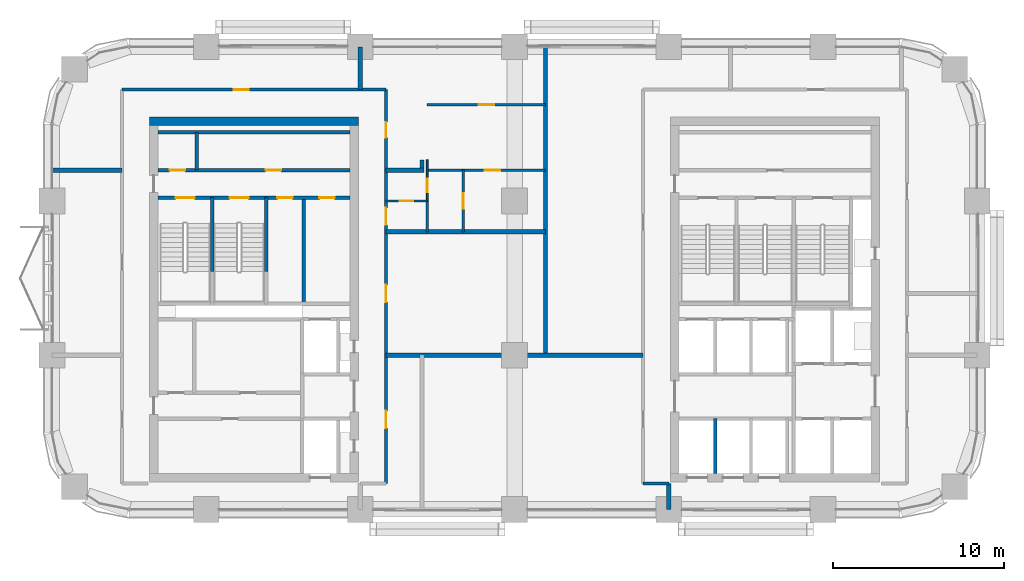
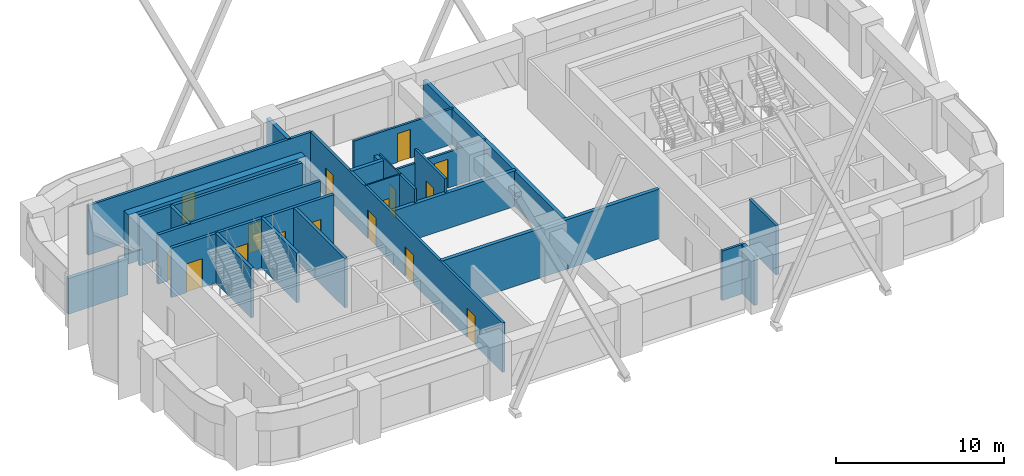
# One storey, part 9 of 13: 27 walls, 16 doors, 16 openings.
"""IFC4 building model written with IfcOpenShell, lengths in metres."""

from ifc_helpers import new_model, si_unit, direction, frame, frame_2d, origin, place, context, subcontext, project, spatial, rectangle, extrude, material, layer, layer_set, type_object, element, fill, save


model = new_model("IFC4")

# Units and contexts
model_context = context("Model", 3, precision=1e-05, world=origin(), true_north=direction((0.0, 1.0)))
body_context = subcontext(model_context, "Body", "Model", "MODEL_VIEW")
ifc_project = project(units=[si_unit("LENGTHUNIT", "METRE"), si_unit("AREAUNIT", "SQUARE_METRE"), si_unit("VOLUMEUNIT", "CUBIC_METRE"), si_unit("PLANEANGLEUNIT", "RADIAN"), si_unit("MASSUNIT", "GRAM", prefix="KILO")], contexts=[model_context])

# Site, building, storey
site_placement = place(None, origin())
site = spatial("IfcSite", under=ifc_project, at=site_placement, CompositionType="ELEMENT")
building_placement = place(site_placement, origin())
building = spatial("IfcBuilding", under=site, at=building_placement, Name="Tessera Arch", CompositionType="ELEMENT")
storey_placement = place(building_placement, frame((0.0, 0.0, 166.10009765625)))
storey = spatial("IfcBuildingStorey", under=building, at=storey_placement, Name="L39", CompositionType="ELEMENT", Elevation=166.10009765625)

# Walls
ifc_material_1 = material(Name="Gypsum board on steel stud", Category="steel")
ifc_layer_1 = layer(ifc_material_1, 0.125)
ifc_layer_set_1 = layer_set([ifc_layer_1], Name="Core partition 125 EI 60")
wall_type_1 = type_object("IfcWallType", Name="Core partition 125 EI 60", PredefinedType="PARTITIONING", material=ifc_layer_set_1)
wall_1_placement = place(storey_placement, frame((8.43994140625, 46.800048828125, 0.0), z_axis=(0.0, 0.0, 1.0), x_axis=(0.0, 1.0, 0.0)))
element("IfcWall", 1, at=wall_1_placement, inside=storey, type_object=wall_type_1, Name="L39 C2 partition wall 2", PredefinedType="PARTITIONING", context=body_context, shape_type="SweptSolid", body=[
    extrude(rectangle(XDim=2.199951171875, YDim=0.199951171875, at=frame_2d((1.10009765625, 0.0))), origin(), (0.0, 0.0, 1.0), 3.599853515625),
])
wall_2_placement = place(storey_placement, frame((14.705078125, 39.0, 0.0), z_axis=(0.0, 0.0, 1.0), x_axis=(0.0, 1.0, 0.0)))
element("IfcWall", 2, at=wall_2_placement, inside=storey, type_object=wall_type_1, Name="L39 C2 partition wall 10", PredefinedType="PARTITIONING", context=body_context, shape_type="SweptSolid", body=[
    extrude(rectangle(XDim=6.199951171875, YDim=0.199951171875, at=frame_2d((3.10009765625, 0.0))), origin(), (0.0, 0.0, 1.0), 3.599853515625),
])

# Wall, openings, doors
wall_3_placement = place(storey_placement, frame((12.5, 45.199951171875, 0.0), z_axis=(0.0, 0.0, 1.0), x_axis=(1.0, 0.0, 0.0)))
wall_3 = element("IfcWall", 3, at=wall_3_placement, inside=storey, type_object=wall_type_1, Name="L39 C2 partition wall 22", PredefinedType="PARTITIONING", context=body_context, shape_type="SweptSolid", body=[
    extrude(rectangle(XDim=4.89990234375, YDim=0.199951171875, at=frame_2d((2.449951171875, 0.0))), origin(), (0.0, 0.0, 1.0), 3.599853515625),
])
opening_1_placement = place(wall_3_placement, frame((0.652587890625, 0.0, 0.0)))
opening_1 = element("IfcOpeningElement", 4, at=opening_1_placement, cuts=wall_3, Name="Opening L39-C30", PredefinedType="OPENING", context=body_context, shape_type="SweptSolid", body=[
    extrude(rectangle(XDim=0.89990234375, YDim=2.10009765625, at=frame_2d((0.449951171875, 1.050048828125))), frame((0.0, 0.10986328125, 0.0), z_axis=(0.0, -1.0, 0.0), x_axis=(1.0, 0.0, 0.0)), (0.0, 0.0, 1.0), 0.219970703125),
])
opening_2_placement = place(wall_3_placement, frame((3.1025390625, 0.0, 0.0)))
opening_2 = element("IfcOpeningElement", 5, at=opening_2_placement, cuts=wall_3, Name="Opening L39-C31", PredefinedType="OPENING", context=body_context, shape_type="SweptSolid", body=[
    extrude(rectangle(XDim=0.89990234375, YDim=2.10009765625, at=frame_2d((0.449951171875, 1.050048828125))), frame((0.0, 0.10986328125, 0.0), z_axis=(0.0, -1.0, 0.0), x_axis=(1.0, 0.0, 0.0)), (0.0, 0.0, 1.0), 0.219970703125),
])
ifc_material_2 = material(Name="Steel door leaf", Category="steel")
door_type_1 = type_object("IfcDoorType", Name="Store door FD30S 900 x 2100", OperationType="SINGLE_SWING_LEFT", PredefinedType="DOOR", material=ifc_material_2)
door_1_placement = place(opening_1_placement, origin())
door_1 = element("IfcDoor", 6, at=door_1_placement, inside=storey, type_object=door_type_1, Name="L39 C2 door 12 C30 type D09", OperationType="SINGLE_SWING_LEFT", OverallHeight=2.10009765625, OverallWidth=0.89990234375, PredefinedType="DOOR", context=body_context, shape_type="SweptSolid", body=[
    extrude(rectangle(XDim=0.89990234375, YDim=2.10009765625, at=frame_2d((0.449951171875, 1.050048828125))), frame((0.0, 0.02490234375, 0.0), z_axis=(0.0, -1.0, 0.0), x_axis=(1.0, 0.0, 0.0)), (0.0, 0.0, 1.0), 0.050048828125),
])
fill(opening_1, door_1)
door_2_placement = place(opening_2_placement, origin())
door_2 = element("IfcDoor", 7, at=door_2_placement, inside=storey, type_object=door_type_1, Name="L39 C2 door 13 C31 type D09", OperationType="SINGLE_SWING_RIGHT", OverallHeight=2.10009765625, OverallWidth=0.89990234375, PredefinedType="DOOR", context=body_context, shape_type="SweptSolid", body=[
    extrude(rectangle(XDim=0.89990234375, YDim=2.10009765625, at=frame_2d((0.449951171875, 1.050048828125))), frame((0.0, 0.02490234375, 0.0), z_axis=(0.0, -1.0, 0.0), x_axis=(1.0, 0.0, 0.0)), (0.0, 0.0, 1.0), 0.050048828125),
])
fill(opening_2, door_2)

wall_4_placement = place(storey_placement, frame((6.199951171875, 46.800048828125, 0.0), z_axis=(0.0, 0.0, 1.0), x_axis=(1.0, 0.0, 0.0)))
wall_4 = element("IfcWall", 8, at=wall_4_placement, inside=storey, type_object=wall_type_1, Name="L39 C2 partition wall 24", PredefinedType="PARTITIONING", context=body_context, shape_type="SweptSolid", body=[
    extrude(rectangle(XDim=11.199951171875, YDim=0.199951171875, at=frame_2d((5.60009765625, 0.0))), origin(), (0.0, 0.0, 1.0), 3.599853515625),
])
opening_3_placement = place(wall_4_placement, frame((0.669921875, 0.0, 0.0)))
opening_3 = element("IfcOpeningElement", 9, at=opening_3_placement, cuts=wall_4, Name="Opening L39-C28", PredefinedType="OPENING", context=body_context, shape_type="SweptSolid", body=[
    extrude(rectangle(XDim=0.89990234375, YDim=2.10009765625, at=frame_2d((0.449951171875, 1.050048828125))), frame((0.0, 0.10986328125, 0.0), z_axis=(0.0, -1.0, 0.0), x_axis=(1.0, 0.0, 0.0)), (0.0, 0.0, 1.0), 0.219970703125),
])
opening_4_placement = place(wall_4_placement, frame((6.27001953125, 0.0, 0.0)))
opening_4 = element("IfcOpeningElement", 10, at=opening_4_placement, cuts=wall_4, Name="Opening L39-C29", PredefinedType="OPENING", context=body_context, shape_type="SweptSolid", body=[
    extrude(rectangle(XDim=0.89990234375, YDim=2.10009765625, at=frame_2d((0.449951171875, 1.050048828125))), frame((0.0, 0.10986328125, 0.0), z_axis=(0.0, -1.0, 0.0), x_axis=(1.0, 0.0, 0.0)), (0.0, 0.0, 1.0), 0.219970703125),
])
door_3_placement = place(opening_3_placement, origin())
door_3 = element("IfcDoor", 11, at=door_3_placement, inside=storey, type_object=door_type_1, Name="L39 C2 door 10 C28 type D09", OperationType="SINGLE_SWING_LEFT", OverallHeight=2.10009765625, OverallWidth=0.89990234375, PredefinedType="DOOR", context=body_context, shape_type="SweptSolid", body=[
    extrude(rectangle(XDim=0.89990234375, YDim=2.10009765625, at=frame_2d((0.449951171875, 1.050048828125))), frame((0.0, 0.02490234375, 0.0), z_axis=(0.0, -1.0, 0.0), x_axis=(1.0, 0.0, 0.0)), (0.0, 0.0, 1.0), 0.050048828125),
])
fill(opening_3, door_3)
door_4_placement = place(opening_4_placement, origin())
door_4 = element("IfcDoor", 12, at=door_4_placement, inside=storey, type_object=door_type_1, Name="L39 C2 door 11 C29 type D09", OperationType="SINGLE_SWING_RIGHT", OverallHeight=2.10009765625, OverallWidth=0.89990234375, PredefinedType="DOOR", context=body_context, shape_type="SweptSolid", body=[
    extrude(rectangle(XDim=0.89990234375, YDim=2.10009765625, at=frame_2d((0.449951171875, 1.050048828125))), frame((0.0, 0.02490234375, 0.0), z_axis=(0.0, -1.0, 0.0), x_axis=(1.0, 0.0, 0.0)), (0.0, 0.0, 1.0), 0.050048828125),
])
fill(opening_4, door_4)

# Walls
wall_5_placement = place(storey_placement, frame((6.199951171875, 49.0, 0.0), z_axis=(0.0, 0.0, 1.0), x_axis=(1.0, 0.0, 0.0)))
element("IfcWall", 13, at=wall_5_placement, inside=storey, type_object=wall_type_1, Name="L39 C2 partition wall 25", PredefinedType="PARTITIONING", context=body_context, shape_type="SweptSolid", body=[
    extrude(rectangle(XDim=11.199951171875, YDim=0.199951171875, at=frame_2d((5.60009765625, 0.0))), origin(), (0.0, 0.0, 1.0), 3.599853515625),
])
ifc_material_3 = material(Name="Concrete C60/75", Category="concrete")
ifc_layer_2 = layer(ifc_material_3, 0.5)
ifc_layer_set_2 = layer_set([ifc_layer_2], Name="Core shell wall 500 C60-75")
wall_type_2 = type_object("IfcWallType", Name="Core shell wall 500 C60-75", PredefinedType="SHEAR", material=ifc_layer_set_2)
wall_6_placement = place(storey_placement, frame((5.699951171875, 49.64990234375, 0.0), z_axis=(0.0, 0.0, 1.0), x_axis=(1.0, 0.0, 0.0)))
element("IfcWall", 14, at=wall_6_placement, inside=storey, type_object=wall_type_2, Name="L39 C2 core wall N", PredefinedType="SHEAR", context=body_context, shape_type="SweptSolid", body=[
    extrude(rectangle(XDim=12.199951171875, YDim=0.5, at=frame_2d((6.10009765625, 0.0))), origin(), (0.0, 0.0, 1.0), 3.599853515625),
])
ifc_material_4 = material(Name="Gypsum board on deep steel stud with mineral wool", Category="steel")
ifc_layer_3 = layer(ifc_material_4, 0.175048828125)
ifc_layer_set_3 = layer_set([ifc_layer_3], Name="Corridor wall 175 EI 60")
wall_type_3 = type_object("IfcWallType", Name="Corridor wall 175 EI 60", PredefinedType="PARTITIONING", material=ifc_layer_set_3)
wall_7_placement = place(storey_placement, frame((34.5, 28.5, 0.0), z_axis=(0.0, 0.0, 1.0), x_axis=(1.0, 0.0, 0.0)))
element("IfcWall", 15, at=wall_7_placement, inside=storey, type_object=wall_type_3, Name="L39 partition 3", PredefinedType="PARTITIONING", context=body_context, shape_type="SweptSolid", body=[
    extrude(rectangle(XDim=1.5, YDim=0.175048828125, at=frame_2d((0.75, 0.0))), origin(), (0.0, 0.0, 1.0), 3.599853515625),
])

# Wall, opening, door
wall_8_placement = place(storey_placement, frame((4.10009765625, 51.5, 0.0), z_axis=(0.0, 0.0, 1.0), x_axis=(1.0, 0.0, 0.0)))
wall_8 = element("IfcWall", 16, at=wall_8_placement, inside=storey, type_object=wall_type_3, Name="L39 partition 5", PredefinedType="PARTITIONING", context=body_context, shape_type="SweptSolid", body=[
    extrude(rectangle(XDim=15.39990234375, YDim=0.175048828125, at=frame_2d((7.699951171875, 0.0))), origin(), (0.0, 0.0, 1.0), 3.599853515625),
])
opening_5_placement = place(wall_8_placement, frame((6.5, 0.0, 0.0)))
opening_5 = element("IfcOpeningElement", 17, at=opening_5_placement, cuts=wall_8, Name="Opening L39-D017", PredefinedType="OPENING", context=body_context, shape_type="SweptSolid", body=[
    extrude(rectangle(XDim=0.89990234375, YDim=2.10009765625, at=frame_2d((0.449951171875, 1.050048828125))), frame((0.0, 0.097412109375, 0.0), z_axis=(0.0, -1.0, 0.0), x_axis=(1.0, 0.0, 0.0)), (0.0, 0.0, 1.0), 0.195068359375),
])
ifc_material_5 = material(Name="Timber door leaf", Category="wood")
door_type_2 = type_object("IfcDoorType", Name="Room door 900 x 2100", OperationType="SINGLE_SWING_LEFT", PredefinedType="DOOR", material=ifc_material_5)
door_5_placement = place(opening_5_placement, origin())
door_5 = element("IfcDoor", 18, at=door_5_placement, inside=storey, type_object=door_type_2, Name="L39 door D017 type D01", OperationType="SINGLE_SWING_RIGHT", OverallHeight=2.10009765625, OverallWidth=0.89990234375, PredefinedType="DOOR", context=body_context, shape_type="SweptSolid", body=[
    extrude(rectangle(XDim=0.89990234375, YDim=2.10009765625, at=frame_2d((0.449951171875, 1.050048828125))), frame((0.0, 0.02490234375, 0.0), z_axis=(0.0, -1.0, 0.0), x_axis=(1.0, 0.0, 0.0)), (0.0, 0.0, 1.0), 0.050048828125),
])
fill(opening_5, door_5)

# Wall, openings, doors
wall_9_placement = place(storey_placement, frame((19.5, 28.5, 0.0), z_axis=(0.0, 0.0, 1.0), x_axis=(0.0, 1.0, 0.0)))
wall_9 = element("IfcWall", 19, at=wall_9_placement, inside=storey, type_object=wall_type_3, Name="L39 partition 8", PredefinedType="PARTITIONING", context=body_context, shape_type="SweptSolid", body=[
    extrude(rectangle(XDim=23.0, YDim=0.175048828125, at=frame_2d((11.5, 0.0))), origin(), (0.0, 0.0, 1.0), 3.599853515625),
])
opening_6_placement = place(wall_9_placement, frame((3.25, 0.0, 0.0)))
opening_6 = element("IfcOpeningElement", 20, at=opening_6_placement, cuts=wall_9, Name="Opening L39-D003", PredefinedType="OPENING", context=body_context, shape_type="SweptSolid", body=[
    extrude(rectangle(XDim=1.0, YDim=2.10009765625, at=frame_2d((0.5, 1.050048828125))), frame((0.0, 0.097412109375, 0.0), z_axis=(0.0, -1.0, 0.0), x_axis=(1.0, 0.0, 0.0)), (0.0, 0.0, 1.0), 0.195068359375),
])
opening_7_placement = place(wall_9_placement, frame((10.60009765625, 0.0, 0.0)))
opening_7 = element("IfcOpeningElement", 21, at=opening_7_placement, cuts=wall_9, Name="Opening L39-D006", PredefinedType="OPENING", context=body_context, shape_type="SweptSolid", body=[
    extrude(rectangle(XDim=1.0, YDim=2.10009765625, at=frame_2d((0.5, 1.050048828125))), frame((0.0, 0.097412109375, 0.0), z_axis=(0.0, -1.0, 0.0), x_axis=(1.0, 0.0, 0.0)), (0.0, 0.0, 1.0), 0.195068359375),
])
opening_8_placement = place(wall_9_placement, frame((15.10009765625, 0.0, 0.0)))
opening_8 = element("IfcOpeningElement", 22, at=opening_8_placement, cuts=wall_9, Name="Opening L39-D010", PredefinedType="OPENING", context=body_context, shape_type="SweptSolid", body=[
    extrude(rectangle(XDim=1.0, YDim=2.10009765625, at=frame_2d((0.5, 1.050048828125))), frame((0.0, 0.097412109375, 0.0), z_axis=(0.0, -1.0, 0.0), x_axis=(1.0, 0.0, 0.0)), (0.0, 0.0, 1.0), 0.195068359375),
])
opening_9_placement = place(wall_9_placement, frame((20.199951171875, 0.0, 0.0)))
opening_9 = element("IfcOpeningElement", 23, at=opening_9_placement, cuts=wall_9, Name="Opening L39-D016", PredefinedType="OPENING", context=body_context, shape_type="SweptSolid", body=[
    extrude(rectangle(XDim=0.89990234375, YDim=2.10009765625, at=frame_2d((0.449951171875, 1.050048828125))), frame((0.0, 0.097412109375, 0.0), z_axis=(0.0, -1.0, 0.0), x_axis=(1.0, 0.0, 0.0)), (0.0, 0.0, 1.0), 0.195068359375),
])
ifc_material_6 = material(Name="Fire-rated door leaf")
door_type_3 = type_object("IfcDoorType", Name="Entrance door FD30S 1000 x 2100", OperationType="SINGLE_SWING_LEFT", PredefinedType="DOOR", material=ifc_material_6)
door_6_placement = place(opening_6_placement, origin())
door_6 = element("IfcDoor", 24, at=door_6_placement, inside=storey, type_object=door_type_3, Name="L39 door D003 type D03", OperationType="SINGLE_SWING_RIGHT", OverallHeight=2.10009765625, OverallWidth=1.0, PredefinedType="DOOR", context=body_context, shape_type="SweptSolid", body=[
    extrude(rectangle(XDim=1.0, YDim=2.10009765625, at=frame_2d((0.5, 1.050048828125))), frame((0.0, 0.02490234375, 0.0), z_axis=(0.0, -1.0, 0.0), x_axis=(1.0, 0.0, 0.0)), (0.0, 0.0, 1.0), 0.050048828125),
])
fill(opening_6, door_6)
door_7_placement = place(opening_7_placement, origin())
door_7 = element("IfcDoor", 25, at=door_7_placement, inside=storey, type_object=door_type_3, Name="L39 door D006 type D03", OperationType="SINGLE_SWING_LEFT", OverallHeight=2.10009765625, OverallWidth=1.0, PredefinedType="DOOR", context=body_context, shape_type="SweptSolid", body=[
    extrude(rectangle(XDim=1.0, YDim=2.10009765625, at=frame_2d((0.5, 1.050048828125))), frame((0.0, 0.02490234375, 0.0), z_axis=(0.0, -1.0, 0.0), x_axis=(1.0, 0.0, 0.0)), (0.0, 0.0, 1.0), 0.050048828125),
])
fill(opening_7, door_7)
door_8_placement = place(opening_8_placement, origin())
door_8 = element("IfcDoor", 26, at=door_8_placement, inside=storey, type_object=door_type_3, Name="L39 door D010 type D03", OperationType="SINGLE_SWING_LEFT", OverallHeight=2.10009765625, OverallWidth=1.0, PredefinedType="DOOR", context=body_context, shape_type="SweptSolid", body=[
    extrude(rectangle(XDim=1.0, YDim=2.10009765625, at=frame_2d((0.5, 1.050048828125))), frame((0.0, 0.02490234375, 0.0), z_axis=(0.0, -1.0, 0.0), x_axis=(1.0, 0.0, 0.0)), (0.0, 0.0, 1.0), 0.050048828125),
])
fill(opening_8, door_8)
door_9_placement = place(opening_9_placement, origin())
door_9 = element("IfcDoor", 27, at=door_9_placement, inside=storey, type_object=door_type_2, Name="L39 door D016 type D01", OperationType="SINGLE_SWING_RIGHT", OverallHeight=2.10009765625, OverallWidth=0.89990234375, PredefinedType="DOOR", context=body_context, shape_type="SweptSolid", body=[
    extrude(rectangle(XDim=0.89990234375, YDim=2.10009765625, at=frame_2d((0.449951171875, 1.050048828125))), frame((0.0, 0.02490234375, 0.0), z_axis=(0.0, -1.0, 0.0), x_axis=(1.0, 0.0, 0.0)), (0.0, 0.0, 1.0), 0.050048828125),
])
fill(opening_9, door_9)

# Wall, opening, door
ifc_material_7 = material(Name="Gypsum board on steel stud", Category="steel")
ifc_layer_4 = layer(ifc_material_7, 0.14990234375)
ifc_layer_set_4 = layer_set([ifc_layer_4], Name="Partition 150")
wall_type_4 = type_object("IfcWallType", Name="Partition 150", PredefinedType="PARTITIONING", material=ifc_layer_set_4)
wall_10_placement = place(storey_placement, frame((21.89990234375, 46.800048828125, 0.0), z_axis=(0.0, 0.0, 1.0), x_axis=(1.0, 0.0, 0.0)))
wall_10 = element("IfcWall", 28, at=wall_10_placement, inside=storey, type_object=wall_type_4, Name="L39 partition 11", PredefinedType="PARTITIONING", context=body_context, shape_type="SweptSolid", body=[
    extrude(rectangle(XDim=6.900146484375, YDim=0.14990234375, at=frame_2d((3.4501953125, 0.0))), origin(), (0.0, 0.0, 1.0), 2.599853515625),
])
opening_10_placement = place(wall_10_placement, frame((3.3701171875, 0.0, 0.0)))
opening_10 = element("IfcOpeningElement", 29, at=opening_10_placement, cuts=wall_10, Name="Opening L39-D014", PredefinedType="OPENING", context=body_context, shape_type="SweptSolid", body=[
    extrude(rectangle(XDim=0.89990234375, YDim=2.10009765625, at=frame_2d((0.449951171875, 1.050048828125))), frame((0.0, 0.0849609375, 0.0), z_axis=(0.0, -1.0, 0.0), x_axis=(1.0, 0.0, 0.0)), (0.0, 0.0, 1.0), 0.169921875),
])
door_10_placement = place(opening_10_placement, origin())
door_10 = element("IfcDoor", 30, at=door_10_placement, inside=storey, type_object=door_type_2, Name="L39 door D014 type D01", OperationType="SINGLE_SWING_RIGHT", OverallHeight=2.10009765625, OverallWidth=0.89990234375, PredefinedType="DOOR", context=body_context, shape_type="SweptSolid", body=[
    extrude(rectangle(XDim=0.89990234375, YDim=2.10009765625, at=frame_2d((0.449951171875, 1.050048828125))), frame((0.0, 0.02490234375, 0.0), z_axis=(0.0, -1.0, 0.0), x_axis=(1.0, 0.0, 0.0)), (0.0, 0.0, 1.0), 0.050048828125),
])
fill(opening_10, door_10)

wall_11_placement = place(storey_placement, frame((21.89990234375, 50.615966796875, 0.0), z_axis=(0.0, 0.0, 1.0), x_axis=(1.0, 0.0, 0.0)))
wall_11 = element("IfcWall", 31, at=wall_11_placement, inside=storey, type_object=wall_type_4, Name="L39 partition 12", PredefinedType="PARTITIONING", context=body_context, shape_type="SweptSolid", body=[
    extrude(rectangle(XDim=6.900146484375, YDim=0.14990234375, at=frame_2d((3.4501953125, 0.0))), origin(), (0.0, 0.0, 1.0), 2.599853515625),
])
opening_11_placement = place(wall_11_placement, frame((3.0, 0.0, 0.0)))
opening_11 = element("IfcOpeningElement", 32, at=opening_11_placement, cuts=wall_11, Name="Opening L39-D015", PredefinedType="OPENING", context=body_context, shape_type="SweptSolid", body=[
    extrude(rectangle(XDim=0.89990234375, YDim=2.10009765625, at=frame_2d((0.449951171875, 1.050048828125))), frame((0.0, 0.0849609375, 0.0), z_axis=(0.0, -1.0, 0.0), x_axis=(1.0, 0.0, 0.0)), (0.0, 0.0, 1.0), 0.169921875),
])
door_11_placement = place(opening_11_placement, origin())
door_11 = element("IfcDoor", 33, at=door_11_placement, inside=storey, type_object=door_type_2, Name="L39 door D015 type D01", OperationType="SINGLE_SWING_RIGHT", OverallHeight=2.10009765625, OverallWidth=0.89990234375, PredefinedType="DOOR", context=body_context, shape_type="SweptSolid", body=[
    extrude(rectangle(XDim=0.89990234375, YDim=2.10009765625, at=frame_2d((0.449951171875, 1.050048828125))), frame((0.0, 0.02490234375, 0.0), z_axis=(0.0, -1.0, 0.0), x_axis=(1.0, 0.0, 0.0)), (0.0, 0.0, 1.0), 0.050048828125),
])
fill(opening_11, door_11)

# Wall
wall_12_placement = place(storey_placement, frame((21.89990234375, 43.199951171875, 0.0), z_axis=(0.0, 0.0, 1.0), x_axis=(0.0, 1.0, 0.0)))
element("IfcWall", 34, at=wall_12_placement, inside=storey, type_object=wall_type_4, Name="L39 partition 13", PredefinedType="PARTITIONING", context=body_context, shape_type="SweptSolid", body=[
    extrude(rectangle(XDim=1.800048828125, YDim=0.14990234375, at=frame_2d((0.89990234375, 0.0))), origin(), (0.0, 0.0, 1.0), 3.599853515625),
])

# Wall, opening, door
wall_13_placement = place(storey_placement, frame((24.0, 43.199951171875, 0.0), z_axis=(0.0, 0.0, 1.0), x_axis=(0.0, 1.0, 0.0)))
wall_13 = element("IfcWall", 35, at=wall_13_placement, inside=storey, type_object=wall_type_4, Name="L39 partition 14", PredefinedType="PARTITIONING", context=body_context, shape_type="SweptSolid", body=[
    extrude(rectangle(XDim=3.60009765625, YDim=0.14990234375, at=frame_2d((1.800048828125, 0.0))), origin(), (0.0, 0.0, 1.0), 3.599853515625),
])
opening_12_placement = place(wall_13_placement, frame((1.35009765625, 0.0, 0.0)))
opening_12 = element("IfcOpeningElement", 36, at=opening_12_placement, cuts=wall_13, Name="Opening L39-D013", PredefinedType="OPENING", context=body_context, shape_type="SweptSolid", body=[
    extrude(rectangle(XDim=0.89990234375, YDim=2.10009765625, at=frame_2d((0.449951171875, 1.050048828125))), frame((0.0, 0.0849609375, 0.0), z_axis=(0.0, -1.0, 0.0), x_axis=(1.0, 0.0, 0.0)), (0.0, 0.0, 1.0), 0.169921875),
])
door_12_placement = place(opening_12_placement, origin())
door_12 = element("IfcDoor", 37, at=door_12_placement, inside=storey, type_object=door_type_2, Name="L39 door D013 type D01", OperationType="SINGLE_SWING_RIGHT", OverallHeight=2.10009765625, OverallWidth=0.89990234375, PredefinedType="DOOR", context=body_context, shape_type="SweptSolid", body=[
    extrude(rectangle(XDim=0.89990234375, YDim=2.10009765625, at=frame_2d((0.449951171875, 1.050048828125))), frame((0.0, 0.02490234375, 0.0), z_axis=(0.0, -1.0, 0.0), x_axis=(1.0, 0.0, 0.0)), (0.0, 0.0, 1.0), 0.050048828125),
])
fill(opening_12, door_12)

# Walls
ifc_material_8 = material(Name="Double gypsum board on twin steel stud with acoustic mineral wool", Category="steel")
ifc_layer_5 = layer(ifc_material_8, 0.25)
ifc_layer_set_5 = layer_set([ifc_layer_5], Name="Party wall 250 EI 60")
wall_type_5 = type_object("IfcWallType", Name="Party wall 250 EI 60", PredefinedType="PARTITIONING", material=ifc_layer_set_5)
wall_14_placement = place(storey_placement, frame((19.5, 36.0, 0.0), z_axis=(0.0, 0.0, 1.0), x_axis=(1.0, 0.0, 0.0)))
element("IfcWall", 38, at=wall_14_placement, inside=storey, type_object=wall_type_5, Name="L39 partition 16", PredefinedType="PARTITIONING", context=body_context, shape_type="SweptSolid", body=[
    extrude(rectangle(XDim=15.0, YDim=0.25, at=frame_2d((7.5, 0.0))), origin(), (0.0, 0.0, 1.0), 3.599853515625),
])
wall_15_placement = place(storey_placement, frame((19.5, 43.199951171875, 0.0), z_axis=(0.0, 0.0, 1.0), x_axis=(1.0, 0.0, 0.0)))
element("IfcWall", 39, at=wall_15_placement, inside=storey, type_object=wall_type_5, Name="L39 partition 19", PredefinedType="PARTITIONING", context=body_context, shape_type="SweptSolid", body=[
    extrude(rectangle(XDim=9.300048828125, YDim=0.25, at=frame_2d((4.64990234375, 0.0))), origin(), (0.0, 0.0, 1.0), 2.599853515625),
])
wall_16_placement = place(storey_placement, frame((0.0, 46.800048828125, 0.0), z_axis=(0.0, 0.0, 1.0), x_axis=(1.0, 0.0, 0.0)))
element("IfcWall", 40, at=wall_16_placement, inside=storey, type_object=wall_type_5, Name="L39 partition 20", PredefinedType="PARTITIONING", context=body_context, shape_type="SweptSolid", body=[
    extrude(rectangle(XDim=4.10009765625, YDim=0.25, at=frame_2d((2.050048828125, 0.0))), origin(), (0.0, 0.0, 1.0), 2.599853515625),
])
wall_17_placement = place(storey_placement, frame((19.5, 46.800048828125, 0.0), z_axis=(0.0, 0.0, 1.0), x_axis=(1.0, 0.0, 0.0)))
element("IfcWall", 41, at=wall_17_placement, inside=storey, type_object=wall_type_5, Name="L39 partition 21", PredefinedType="PARTITIONING", context=body_context, shape_type="SweptSolid", body=[
    extrude(rectangle(XDim=2.22509765625, YDim=0.25, at=frame_2d((1.112548828125, 0.0))), origin(), (0.0, 0.0, 1.0), 3.599853515625),
])
wall_18_placement = place(storey_placement, frame((18.0, 51.5, 0.0), z_axis=(0.0, 0.0, 1.0), x_axis=(0.0, 1.0, 0.0)))
element("IfcWall", 42, at=wall_18_placement, inside=storey, type_object=wall_type_5, Name="L39 partition 23", PredefinedType="PARTITIONING", context=body_context, shape_type="SweptSolid", body=[
    extrude(rectangle(XDim=2.5, YDim=0.25, at=frame_2d((1.25, 0.0))), origin(), (0.0, 0.0, 1.0), 3.599853515625),
])
wall_19_placement = place(storey_placement, frame((21.60009765625, 46.925048828125, 0.0), z_axis=(0.0, 0.0, 1.0), x_axis=(0.0, 1.0, 0.0)))
element("IfcWall", 43, at=wall_19_placement, inside=storey, type_object=wall_type_5, Name="L39 partition 25", PredefinedType="PARTITIONING", context=body_context, shape_type="SweptSolid", body=[
    extrude(rectangle(XDim=0.474853515625, YDim=0.25, at=frame_2d((0.2373046875, 0.0))), origin(), (0.0, 0.0, 1.0), 3.599853515625),
])
wall_20_placement = place(storey_placement, frame((28.800048828125, 36.0, 0.0), z_axis=(0.0, 0.0, 1.0), x_axis=(0.0, 1.0, 0.0)))
element("IfcWall", 44, at=wall_20_placement, inside=storey, type_object=wall_type_5, Name="L39 partition 26", PredefinedType="PARTITIONING", context=body_context, shape_type="SweptSolid", body=[
    extrude(rectangle(XDim=18.0, YDim=0.25, at=frame_2d((9.0, 0.0))), origin(), (0.0, 0.0, 1.0), 2.599853515625),
])
wall_21_placement = place(storey_placement, frame((36.0, 27.0, 0.0), z_axis=(0.0, 0.0, 1.0), x_axis=(0.0, 1.0, 0.0)))
element("IfcWall", 45, at=wall_21_placement, inside=storey, type_object=wall_type_5, Name="L39 partition 27", PredefinedType="PARTITIONING", context=body_context, shape_type="SweptSolid", body=[
    extrude(rectangle(XDim=1.5, YDim=0.25, at=frame_2d((0.75, 0.0))), origin(), (0.0, 0.0, 1.0), 3.599853515625),
])
ifc_material_9 = material(Name="Concrete C40/50", Category="concrete")
ifc_layer_6 = layer(ifc_material_9, 0.199951171875)
ifc_layer_set_6 = layer_set([ifc_layer_6], Name="Shaft wall 200 EI 120")
wall_type_6 = type_object("IfcWallType", Name="Shaft wall 200 EI 120", PredefinedType="SOLIDWALL", material=ifc_layer_set_6)
wall_22_placement = place(storey_placement, frame((38.699951171875, 29.10009765625, 0.0), z_axis=(0.0, 0.0, 1.0), x_axis=(0.0, 1.0, 0.0)))
element("IfcWall", 46, at=wall_22_placement, inside=storey, type_object=wall_type_6, Name="L39 C1 shaft wall 1", PredefinedType="SOLIDWALL", context=body_context, shape_type="SweptSolid", body=[
    extrude(rectangle(XDim=3.199951171875, YDim=0.199951171875, at=frame_2d((1.60009765625, 0.0))), origin(), (0.0, 0.0, 1.0), 3.599853515625),
])
ifc_material_10 = material(Name="Concrete C40/50", Category="concrete")
ifc_layer_7 = layer(ifc_material_10, 0.199951171875)
ifc_layer_set_7 = layer_set([ifc_layer_7], Name="Stair well wall 200 REI 180")
wall_type_7 = type_object("IfcWallType", Name="Stair well wall 200 REI 180", PredefinedType="SOLIDWALL", material=ifc_layer_set_7)
for number, where, z_axis, x_axis, name in (
    (47, (9.35009765625, 40.89990234375, 0.0), (0.0, 0.0, 1.0), (0.0, 1.0, 0.0), "L39 C2 shaft wall 4"),
    (48, (12.5, 40.89990234375, 0.0), (0.0, 0.0, 1.0), (0.0, 1.0, 0.0), "L39 C2 shaft wall 6"),
):
    element("IfcWall", number, at=place(storey_placement, frame(where, z_axis=z_axis, x_axis=x_axis)), inside=storey, type_object=wall_type_7, Name=name, PredefinedType="SOLIDWALL", context=body_context, shape_type="SweptSolid", body=[
        extrude(rectangle(XDim=4.300048828125, YDim=0.199951171875, at=frame_2d((2.14990234375, 0.0))), origin(), (0.0, 0.0, 1.0), 3.599853515625),
    ])

# Wall, openings, doors
wall_23_placement = place(storey_placement, frame((6.199951171875, 45.199951171875, 0.0), z_axis=(0.0, 0.0, 1.0), x_axis=(1.0, 0.0, 0.0)))
wall_23 = element("IfcWall", 49, at=wall_23_placement, inside=storey, type_object=wall_type_7, Name="L39 C2 shaft wall 23", PredefinedType="SOLIDWALL", context=body_context, shape_type="SweptSolid", body=[
    extrude(rectangle(XDim=6.300048828125, YDim=0.199951171875, at=frame_2d((3.14990234375, 0.0))), origin(), (0.0, 0.0, 1.0), 3.599853515625),
])
opening_13_placement = place(wall_23_placement, frame((1.02490234375, 0.0, 0.0)))
opening_13 = element("IfcOpeningElement", 50, at=opening_13_placement, cuts=wall_23, Name="Opening L39-C23", PredefinedType="OPENING", context=body_context, shape_type="SweptSolid", body=[
    extrude(rectangle(XDim=1.10009765625, YDim=2.10009765625, at=frame_2d((0.550048828125, 1.050048828125))), frame((0.0, 0.10986328125, 0.0), z_axis=(0.0, -1.0, 0.0), x_axis=(1.0, 0.0, 0.0)), (0.0, 0.0, 1.0), 0.219970703125),
])
opening_14_placement = place(wall_23_placement, frame((4.175048828125, 0.0, 0.0)))
opening_14 = element("IfcOpeningElement", 51, at=opening_14_placement, cuts=wall_23, Name="Opening L39-C24", PredefinedType="OPENING", context=body_context, shape_type="SweptSolid", body=[
    extrude(rectangle(XDim=1.10009765625, YDim=2.10009765625, at=frame_2d((0.550048828125, 1.050048828125))), frame((0.0, 0.10986328125, 0.0), z_axis=(0.0, -1.0, 0.0), x_axis=(1.0, 0.0, 0.0)), (0.0, 0.0, 1.0), 0.219970703125),
])
ifc_material_11 = material(Name="Steel door leaf", Category="steel")
door_type_4 = type_object("IfcDoorType", Name="Stair door FD60 1100 x 2100", OperationType="SINGLE_SWING_LEFT", PredefinedType="DOOR", material=ifc_material_11)
door_13_placement = place(opening_13_placement, origin())
door_13 = element("IfcDoor", 52, at=door_13_placement, inside=storey, type_object=door_type_4, Name="L39 C2 door 5 C23 type D05", OperationType="SINGLE_SWING_LEFT", OverallHeight=2.10009765625, OverallWidth=1.10009765625, PredefinedType="DOOR", context=body_context, shape_type="SweptSolid", body=[
    extrude(rectangle(XDim=1.10009765625, YDim=2.10009765625, at=frame_2d((0.550048828125, 1.050048828125))), frame((0.0, 0.02490234375, 0.0), z_axis=(0.0, -1.0, 0.0), x_axis=(1.0, 0.0, 0.0)), (0.0, 0.0, 1.0), 0.050048828125),
])
fill(opening_13, door_13)
door_14_placement = place(opening_14_placement, origin())
door_14 = element("IfcDoor", 53, at=door_14_placement, inside=storey, type_object=door_type_4, Name="L39 C2 door 6 C24 type D05", OperationType="SINGLE_SWING_RIGHT", OverallHeight=2.10009765625, OverallWidth=1.10009765625, PredefinedType="DOOR", context=body_context, shape_type="SweptSolid", body=[
    extrude(rectangle(XDim=1.10009765625, YDim=2.10009765625, at=frame_2d((0.550048828125, 1.050048828125))), frame((0.0, 0.02490234375, 0.0), z_axis=(0.0, -1.0, 0.0), x_axis=(1.0, 0.0, 0.0)), (0.0, 0.0, 1.0), 0.050048828125),
])
fill(opening_14, door_14)

# Wall, opening, door
ifc_material_12 = material(Name="Moisture-resistant board on pre-plumbed steel stud", Category="steel")
ifc_layer_8 = layer(ifc_material_12, 0.10009765625)
ifc_layer_set_8 = layer_set([ifc_layer_8], Name="Wet wall 100")
wall_type_8 = type_object("IfcWallType", Name="Wet wall 100", PredefinedType="PARTITIONING", material=ifc_layer_set_8)
wall_24_placement = place(storey_placement, frame((19.5, 45.0, 0.0), z_axis=(0.0, 0.0, 1.0), x_axis=(1.0, 0.0, 0.0)))
wall_24 = element("IfcWall", 54, at=wall_24_placement, inside=storey, type_object=wall_type_8, Name="L39 partition 30", PredefinedType="PARTITIONING", context=body_context, shape_type="SweptSolid", body=[
    extrude(rectangle(XDim=2.39990234375, YDim=0.10009765625, at=frame_2d((1.199951171875, 0.0))), origin(), (0.0, 0.0, 1.0), 3.599853515625),
])
opening_15_placement = place(wall_24_placement, frame((0.800048828125, 0.0, 0.0)))
opening_15 = element("IfcOpeningElement", 55, at=opening_15_placement, cuts=wall_24, Name="Opening L39-D011", PredefinedType="OPENING", context=body_context, shape_type="SweptSolid", body=[
    extrude(rectangle(XDim=0.800048828125, YDim=2.10009765625, at=frame_2d((0.39990234375, 1.050048828125))), frame((0.0, 0.06005859375, 0.0), z_axis=(0.0, -1.0, 0.0), x_axis=(1.0, 0.0, 0.0)), (0.0, 0.0, 1.0), 0.1201171875),
])
ifc_material_13 = material(Name="Timber door leaf", Category="wood")
door_type_5 = type_object("IfcDoorType", Name="En-suite door 800 x 2100", OperationType="SINGLE_SWING_LEFT", PredefinedType="DOOR", material=ifc_material_13)
door_15_placement = place(opening_15_placement, origin())
door_15 = element("IfcDoor", 56, at=door_15_placement, inside=storey, type_object=door_type_5, Name="L39 door D011 type D02", OperationType="SINGLE_SWING_RIGHT", OverallHeight=2.10009765625, OverallWidth=0.800048828125, PredefinedType="DOOR", context=body_context, shape_type="SweptSolid", body=[
    extrude(rectangle(XDim=0.800048828125, YDim=2.10009765625, at=frame_2d((0.39990234375, 1.050048828125))), frame((0.0, 0.02490234375, 0.0), z_axis=(0.0, -1.0, 0.0), x_axis=(1.0, 0.0, 0.0)), (0.0, 0.0, 1.0), 0.050048828125),
])
fill(opening_15, door_15)

wall_25_placement = place(storey_placement, frame((21.89990234375, 45.0, 0.0), z_axis=(0.0, 0.0, 1.0), x_axis=(0.0, 1.0, 0.0)))
wall_25 = element("IfcWall", 57, at=wall_25_placement, inside=storey, type_object=wall_type_8, Name="L39 partition 31", PredefinedType="PARTITIONING", context=body_context, shape_type="SweptSolid", body=[
    extrude(rectangle(XDim=2.39990234375, YDim=0.10009765625, at=frame_2d((1.199951171875, 0.0))), origin(), (0.0, 0.0, 1.0), 3.599853515625),
])
opening_16_placement = place(wall_25_placement, frame((0.5, 0.0, 0.0)))
opening_16 = element("IfcOpeningElement", 58, at=opening_16_placement, cuts=wall_25, Name="Opening L39-D012", PredefinedType="OPENING", context=body_context, shape_type="SweptSolid", body=[
    extrude(rectangle(XDim=0.800048828125, YDim=2.10009765625, at=frame_2d((0.39990234375, 1.050048828125))), frame((0.0, 0.06005859375, 0.0), z_axis=(0.0, -1.0, 0.0), x_axis=(1.0, 0.0, 0.0)), (0.0, 0.0, 1.0), 0.1201171875),
])
door_16_placement = place(opening_16_placement, origin())
door_16 = element("IfcDoor", 59, at=door_16_placement, inside=storey, type_object=door_type_5, Name="L39 door D012 type D02", OperationType="SINGLE_SWING_LEFT", OverallHeight=2.10009765625, OverallWidth=0.800048828125, PredefinedType="DOOR", context=body_context, shape_type="SweptSolid", body=[
    extrude(rectangle(XDim=0.800048828125, YDim=2.10009765625, at=frame_2d((0.39990234375, 1.050048828125))), frame((0.0, 0.02490234375, 0.0), z_axis=(0.0, -1.0, 0.0), x_axis=(1.0, 0.0, 0.0)), (0.0, 0.0, 1.0), 0.050048828125),
])
fill(opening_16, door_16)

save(model, "model.ifc")
